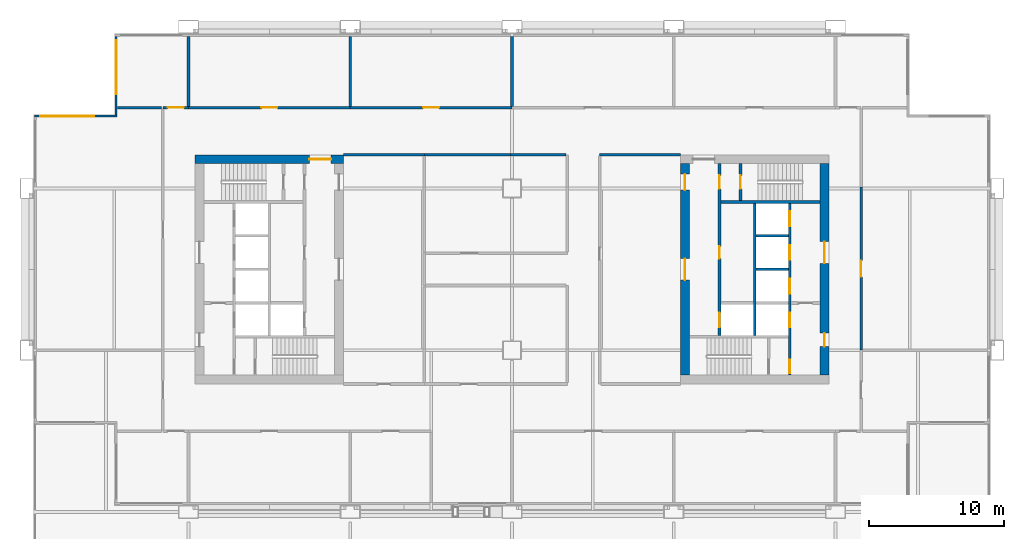
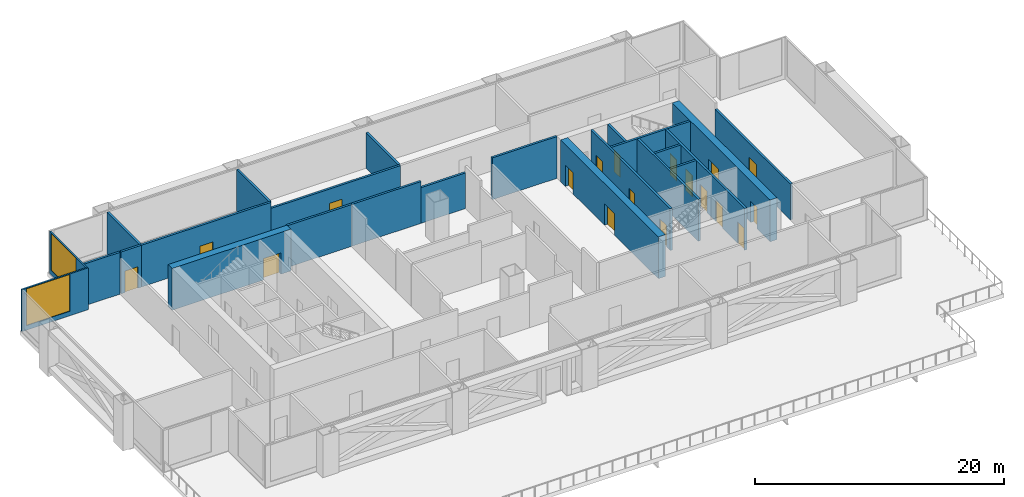
# One storey, part 6 of 8: 24 walls, 18 doors, 2 windows, 20 openings.
"""IFC4 building model written with IfcOpenShell, lengths in metres."""

import ifcopenshell
import ifcopenshell.guid

model = None  # the IFC model being written
_history = None  # IfcOwnerHistory: only IFC2X3 demands one
_inside = {}  # id of a spatial element -> (the spatial element, [elements in it])
_under = {}  # id of a project, library or spatial element -> (it, [spatial elements below it])
_declared = {}  # id of a project -> (the project, [libraries it declares])
_typed = {}  # id of a type object -> (the type object, [elements of that type])
_made_of = {}  # id of a material, layer set ... -> (it, [elements and type objects made of it])


def new_model(schema):
    """Start an empty IFC model of exactly this schema.

    Asked for "IFC4X3", IfcOpenShell would pick the latest addendum, in which some entities
    have other attributes; the version numbers below select the first issue.
    IFC2X3 requires an IfcOwnerHistory on every rooted entity: one is made here for all.
    """
    global model, _history
    if schema == "IFC4X3":
        model = ifcopenshell.file(schema_version=(4, 3, 0, 0))
    else:
        model = ifcopenshell.file(schema=schema)
    _inside.clear()
    _under.clear()
    _declared.clear()
    _typed.clear()
    _made_of.clear()
    _history = None
    if model.schema == "IFC2X3":
        org = make("IfcOrganization", Name="unknown")
        user = make(
            "IfcPersonAndOrganization",
            ThePerson=make("IfcPerson", FamilyName="unknown"),
            TheOrganization=org,
        )
        app = make(
            "IfcApplication",
            ApplicationDeveloper=org,
            Version="unknown",
            ApplicationFullName="unknown",
            ApplicationIdentifier="unknown",
        )
        _history = make(
            "IfcOwnerHistory",
            OwningUser=user,
            OwningApplication=app,
            ChangeAction="ADDED",
            CreationDate=0,
        )
    return model


def make(cls, **values):
    """One entity of the class cls with the attributes given. An attribute that is None is left unset."""
    return model.create_entity(
        cls, **{name: value for name, value in values.items() if value is not None}
    )


def rooted(cls, **values):
    """An entity with a GlobalId (a new one), such as an element, a storey or a relation."""
    return make(cls, GlobalId=ifcopenshell.guid.new(), OwnerHistory=_history, **values)


def si_unit(unit_type, name, prefix=None):
    """IfcSIUnit, for example si_unit("LENGTHUNIT", "METRE", prefix="MILLI")."""
    return make("IfcSIUnit", UnitType=unit_type, Prefix=prefix, Name=name)


def assignment(units):
    """IfcUnitAssignment: the units of a project."""
    return None if units is None else make("IfcUnitAssignment", Units=units)


def point(xyz):
    """IfcCartesianPoint."""
    return None if xyz is None else make("IfcCartesianPoint", Coordinates=xyz)


def direction(xyz):
    """IfcDirection."""
    return None if xyz is None else make("IfcDirection", DirectionRatios=xyz)


def frame(location, z_axis=None, x_axis=None):
    """IfcAxis2Placement3D, a coordinate frame: its origin and axes. An axis left out is left unset."""
    return make(
        "IfcAxis2Placement3D",
        Location=point(location),
        Axis=direction(z_axis),
        RefDirection=direction(x_axis),
    )


def frame_2d(location, x_axis=None):
    """IfcAxis2Placement2D, a coordinate frame in the plane: its origin and x axis."""
    return make(
        "IfcAxis2Placement2D", Location=point(location), RefDirection=direction(x_axis)
    )


def origin():
    """The frame at (0, 0, 0) with its axes left unset."""
    return frame((0.0, 0.0, 0.0))


def place(relative_to, where):
    """IfcLocalPlacement: puts the frame where relative to a parent placement (None: the world)."""
    return make(
        "IfcLocalPlacement", PlacementRelTo=relative_to, RelativePlacement=where
    )


def context(
    kind, dimensions, precision=None, world=None, true_north=None, identifier=None
):
    """IfcGeometricRepresentationContext, for example the 3D "Model" context."""
    return make(
        "IfcGeometricRepresentationContext",
        ContextIdentifier=identifier,
        ContextType=kind,
        CoordinateSpaceDimension=dimensions,
        Precision=precision,
        WorldCoordinateSystem=world,
        TrueNorth=true_north,
    )


def subcontext(parent, identifier, kind, view, scale=None):
    """IfcGeometricRepresentationSubContext, for example "Body" below "Model"."""
    return make(
        "IfcGeometricRepresentationSubContext",
        ContextIdentifier=identifier,
        ContextType=kind,
        ParentContext=parent,
        TargetScale=scale,
        TargetView=view,
    )


def project(units=None, contexts=None):
    """IfcProject with its units and contexts."""
    return rooted(
        "IfcProject",
        Name="project",
        RepresentationContexts=contexts,
        UnitsInContext=assignment(units),
    )


def spatial(cls, under=None, at=None, **own):
    """A site, building, storey or space (cls), placed at a placement, below another one or the project."""
    s = rooted(cls, ObjectPlacement=at, **own)
    if under is not None:
        _under.setdefault(under.id(), (under, []))[1].append(s)
    return s


def profile(cls, at=None, kind="AREA", **sizes):
    """A parametric profile (cls). Its sizes go by their IFC names, for example OverallWidth=200.0."""
    return make(cls, ProfileType=kind, Position=at, **sizes)


def rectangle(**sizes):
    """IfcRectangleProfileDef."""
    return profile("IfcRectangleProfileDef", **sizes)


def extrude(swept, where, along, depth):
    """IfcExtrudedAreaSolid: the profile swept, set in the frame where, extruded along a direction by depth."""
    return make(
        "IfcExtrudedAreaSolid",
        SweptArea=swept,
        Position=where,
        ExtrudedDirection=direction(along),
        Depth=depth,
    )


def shape(context_of_items, identifier, shape_type, items):
    """IfcShapeRepresentation: the items that make up one representation, for example the "Body"."""
    return make(
        "IfcShapeRepresentation",
        ContextOfItems=context_of_items,
        RepresentationIdentifier=identifier,
        RepresentationType=shape_type,
        Items=items,
    )


def material(Name=None, Category=None):
    """IfcMaterial."""
    return make("IfcMaterial", Name=Name, Category=Category)


def layer(
    of_material, thickness, ventilated=None, Name=None, Category=None, Priority=None
):
    """IfcMaterialLayer: one layer of a wall or slab, of a material (None: an air gap)."""
    return make(
        "IfcMaterialLayer",
        Material=of_material,
        LayerThickness=thickness,
        IsVentilated=ventilated,
        Name=Name,
        Category=Category,
        Priority=Priority,
    )


def layer_set(layers, Name=None):
    """IfcMaterialLayerSet."""
    return make("IfcMaterialLayerSet", MaterialLayers=layers, LayerSetName=Name)


def made_of(thing, what):
    """Note that an element or type object is made of a material, layer set ...; save() writes the relation."""
    if what is not None:
        _made_of.setdefault(what.id(), (what, []))[1].append(thing)
    return thing


def type_object(cls, material=None, **own):
    """A type object (cls), such as IfcWallType, which elements share."""
    return made_of(rooted(cls, **own), material)


def element(
    cls,
    number,
    at=None,
    inside=None,
    cuts=None,
    type_object=None,
    material=None,
    context=None,
    identifier="Body",
    shape_type=None,
    held_by="IfcProductDefinitionShape",
    body=None,
    shapes=None,
    **own,
):
    """One element of the class cls, such as IfcWall. Its Tag is "e" and its number.

    at: its placement. inside: the storey or other place that contains it. cuts: it is an
    opening in that element (IfcRelVoidsElement). A single representation is given by context,
    identifier, shape_type and body (its items); several are given by shapes. held_by: the class
    of the entity that holds the representations. save() writes the other relations.
    """
    e = rooted(cls, Tag="e%d" % number, ObjectPlacement=at, **own)
    if body is not None:
        shapes = [shape(context, identifier, shape_type, body)]
    if shapes is not None:
        e.Representation = make(held_by, Representations=shapes)
    if inside is not None:
        _inside.setdefault(inside.id(), (inside, []))[1].append(e)
    if cuts is not None:
        rooted(
            "IfcRelVoidsElement", RelatingBuildingElement=cuts, RelatedOpeningElement=e
        )
    if type_object is not None:
        _typed.setdefault(type_object.id(), (type_object, []))[1].append(e)
    return made_of(e, material)


def fill(opening, filler):
    """IfcRelFillsElement: the door or window that sits in an opening."""
    return rooted(
        "IfcRelFillsElement",
        RelatingOpeningElement=opening,
        RelatedBuildingElement=filler,
    )


def aggregate(whole, parts):
    """IfcRelAggregates: a whole, such as a stair, and the parts it consists of."""
    return rooted("IfcRelAggregates", RelatingObject=whole, RelatedObjects=parts)


def save(model, path):
    """Write the relations noted so far, then the file.

    IfcRelAggregates (storeys below a building ...), IfcRelContainedInSpatialStructure (elements
    in a storey), IfcRelDefinesByType, IfcRelAssociatesMaterial and IfcRelDeclares: one each for
    every whole, place, type object, material and project.
    """
    for whole, parts in _under.values():
        aggregate(whole, parts)
    for where, things in _inside.values():
        rooted(
            "IfcRelContainedInSpatialStructure",
            RelatedElements=things,
            RelatingStructure=where,
        )
    for kind, things in _typed.values():
        rooted("IfcRelDefinesByType", RelatedObjects=things, RelatingType=kind)
    for what, things in _made_of.values():
        rooted("IfcRelAssociatesMaterial", RelatedObjects=things, RelatingMaterial=what)
    for by, libraries in _declared.values():
        rooted("IfcRelDeclares", RelatingContext=by, RelatedDefinitions=libraries)
    model.write(path)


model = new_model("IFC4")

# Units and contexts
model_context = context("Model", 3, precision=1e-05, world=origin(), true_north=direction((0.0, 1.0)))
body_context = subcontext(model_context, "Body", "Model", "MODEL_VIEW")
ifc_project = project(units=[si_unit("LENGTHUNIT", "METRE"), si_unit("AREAUNIT", "SQUARE_METRE"), si_unit("VOLUMEUNIT", "CUBIC_METRE"), si_unit("PLANEANGLEUNIT", "RADIAN"), si_unit("MASSUNIT", "GRAM", prefix="KILO")], contexts=[model_context])

# Site, building, storey
site_placement = place(None, origin())
site = spatial("IfcSite", under=ifc_project, at=site_placement, CompositionType="ELEMENT")
building_placement = place(site_placement, origin())
building = spatial("IfcBuilding", under=site, at=building_placement, Name="Kitamizu Gate Tower and Museum", CompositionType="ELEMENT")
storey_placement = place(building_placement, frame((0.0, 0.0, 92.10009765625)))
storey = spatial("IfcBuildingStorey", under=building, at=storey_placement, Name="L23", CompositionType="ELEMENT", Elevation=92.10009765625)

# Wall, opening, door
ifc_material_1 = material(Name="Concrete Fc60", Category="concrete")
ifc_layer_1 = layer(ifc_material_1, 0.64990234375)
ifc_layer_set_1 = layer_set([ifc_layer_1], Name="Concrete Fc60")
wall_type_1 = type_object("IfcWallType", Name="Core wall 650", PredefinedType="SHEAR", material=ifc_layer_set_1)
wall_1_placement = place(storey_placement, frame((12.5, 38.175048828125, 0.0), z_axis=(0.0, 0.0, 1.0), x_axis=(1.0, 0.0, 0.0)))
wall_1 = element("IfcWall", 1, at=wall_1_placement, inside=storey, type_object=wall_type_1, Name="Core wall WN", PredefinedType="SHEAR", context=body_context, shape_type="SweptSolid", body=[
    extrude(rectangle(XDim=11.0, YDim=0.64990234375, at=frame_2d((5.5, 0.0))), origin(), (0.0, 0.0, 1.0), 4.099853515625),
])
opening_1_placement = place(wall_1_placement, frame((8.47509765625, 0.0, 0.0)))
opening_1 = element("IfcOpeningElement", 2, at=opening_1_placement, cuts=wall_1, Name="Opening L23-028", PredefinedType="OPENING", context=body_context, shape_type="SweptSolid", body=[
    extrude(rectangle(XDim=1.60009765625, YDim=2.10009765625, at=frame_2d((0.800048828125, 1.050048828125))), frame((0.0, 0.3349609375, 0.0), z_axis=(0.0, -1.0, 0.0), x_axis=(1.0, 0.0, 0.0)), (0.0, 0.0, 1.0), 0.669921875),
])
ifc_material_2 = material(Name="Timber door set", Category="wood")
door_type_1 = type_object("IfcDoorType", Name="Entrance door 1600", OperationType="DOUBLE_DOOR_SINGLE_SWING", PredefinedType="DOOR", material=ifc_material_2)
door_1_placement = place(opening_1_placement, origin())
door_1 = element("IfcDoor", 3, at=door_1_placement, inside=storey, type_object=door_type_1, Name="Lobby door L23-028", OperationType="DOUBLE_DOOR_SINGLE_SWING", OverallHeight=2.10009765625, OverallWidth=1.60009765625, PredefinedType="DOOR", context=body_context, shape_type="SweptSolid", body=[
    extrude(rectangle(XDim=1.60009765625, YDim=2.10009765625, at=frame_2d((0.800048828125, 1.050048828125))), frame((0.0, 0.02490234375, 0.0), z_axis=(0.0, -1.0, 0.0), x_axis=(1.0, 0.0, 0.0)), (0.0, 0.0, 1.0), 0.050048828125),
])
fill(opening_1, door_1)

# Wall, openings, doors
wall_2_placement = place(storey_placement, frame((59.175048828125, 22.14990234375, 0.0), z_axis=(0.0, 0.0, 1.0), x_axis=(0.0, 1.0, 0.0)))
wall_2 = element("IfcWall", 4, at=wall_2_placement, inside=storey, type_object=wall_type_1, Name="Core wall EOUT", PredefinedType="SHEAR", context=body_context, shape_type="SweptSolid", body=[
    extrude(rectangle(XDim=15.7001953125, YDim=0.64990234375, at=frame_2d((7.85009765625, 0.0))), origin(), (0.0, 0.0, 1.0), 4.099853515625),
])
opening_2_placement = place(wall_2_placement, frame((8.300048828125, 0.0, 0.0)))
opening_2 = element("IfcOpeningElement", 5, at=opening_2_placement, cuts=wall_2, Name="Opening L23-037", PredefinedType="OPENING", context=body_context, shape_type="SweptSolid", body=[
    extrude(rectangle(XDim=1.60009765625, YDim=2.10009765625, at=frame_2d((0.800048828125, 1.050048828125))), frame((0.0, 0.3349609375, 0.0), z_axis=(0.0, -1.0, 0.0), x_axis=(1.0, 0.0, 0.0)), (0.0, 0.0, 1.0), 0.669921875),
])
opening_3_placement = place(wall_2_placement, frame((2.125, 0.0, 0.0)))
opening_3 = element("IfcOpeningElement", 6, at=opening_3_placement, cuts=wall_2, Name="Opening L23-038", PredefinedType="OPENING", context=body_context, shape_type="SweptSolid", body=[
    extrude(rectangle(XDim=1.0, YDim=2.10009765625, at=frame_2d((0.5, 1.050048828125))), frame((0.0, 0.3349609375, 0.0), z_axis=(0.0, -1.0, 0.0), x_axis=(1.0, 0.0, 0.0)), (0.0, 0.0, 1.0), 0.669921875),
])
door_2_placement = place(opening_2_placement, origin())
door_2 = element("IfcDoor", 7, at=door_2_placement, inside=storey, type_object=door_type_1, Name="Lobby door L23-037", OperationType="DOUBLE_DOOR_SINGLE_SWING", OverallHeight=2.10009765625, OverallWidth=1.60009765625, PredefinedType="DOOR", context=body_context, shape_type="SweptSolid", body=[
    extrude(rectangle(XDim=1.60009765625, YDim=2.10009765625, at=frame_2d((0.800048828125, 1.050048828125))), frame((0.0, 0.02490234375, 0.0), z_axis=(0.0, -1.0, 0.0), x_axis=(1.0, 0.0, 0.0)), (0.0, 0.0, 1.0), 0.050048828125),
])
fill(opening_2, door_2)
ifc_material_3 = material(Name="Hollow metal door set")
door_type_2 = type_object("IfcDoorType", Name="Fire door 1000", OperationType="NOTDEFINED", PredefinedType="DOOR", material=ifc_material_3)
door_3_placement = place(opening_3_placement, origin())
door_3 = element("IfcDoor", 8, at=door_3_placement, inside=storey, type_object=door_type_2, Name="Fire-fighting lobby door L23-038", OperationType="SINGLE_SWING_LEFT", OverallHeight=2.10009765625, OverallWidth=1.0, PredefinedType="DOOR", context=body_context, shape_type="SweptSolid", body=[
    extrude(rectangle(XDim=1.0, YDim=2.10009765625, at=frame_2d((0.5, 1.050048828125))), frame((0.0, 0.02490234375, 0.0), z_axis=(0.0, -1.0, 0.0), x_axis=(1.0, 0.0, 0.0)), (0.0, 0.0, 1.0), 0.050048828125),
])
fill(opening_3, door_3)

wall_3_placement = place(storey_placement, frame((48.824951171875, 22.14990234375, 0.0), z_axis=(0.0, 0.0, 1.0), x_axis=(0.0, 1.0, 0.0)))
wall_3 = element("IfcWall", 9, at=wall_3_placement, inside=storey, type_object=wall_type_1, Name="Core wall EARC", PredefinedType="SHEAR", context=body_context, shape_type="SweptSolid", body=[
    extrude(rectangle(XDim=15.7001953125, YDim=0.64990234375, at=frame_2d((7.85009765625, 0.0))), origin(), (0.0, 0.0, 1.0), 4.099853515625),
])
opening_4_placement = place(wall_3_placement, frame((7.050048828125, 0.0, 0.0)))
opening_4 = element("IfcOpeningElement", 10, at=opening_4_placement, cuts=wall_3, Name="Opening L23-040", PredefinedType="OPENING", context=body_context, shape_type="SweptSolid", body=[
    extrude(rectangle(XDim=1.60009765625, YDim=2.10009765625, at=frame_2d((0.800048828125, 1.050048828125))), frame((0.0, 0.3349609375, 0.0), z_axis=(0.0, -1.0, 0.0), x_axis=(1.0, 0.0, 0.0)), (0.0, 0.0, 1.0), 0.669921875),
])
opening_5_placement = place(wall_3_placement, frame((13.72509765625, 0.0, 0.0)))
opening_5 = element("IfcOpeningElement", 11, at=opening_5_placement, cuts=wall_3, Name="Opening L23-041", PredefinedType="OPENING", context=body_context, shape_type="SweptSolid", body=[
    extrude(rectangle(XDim=1.199951171875, YDim=2.10009765625, at=frame_2d((0.60009765625, 1.050048828125))), frame((0.0, 0.3349609375, 0.0), z_axis=(0.0, -1.0, 0.0), x_axis=(1.0, 0.0, 0.0)), (0.0, 0.0, 1.0), 0.669921875),
])
door_4_placement = place(opening_4_placement, origin())
door_4 = element("IfcDoor", 12, at=door_4_placement, inside=storey, type_object=door_type_1, Name="Lobby door L23-040", OperationType="DOUBLE_DOOR_SINGLE_SWING", OverallHeight=2.10009765625, OverallWidth=1.60009765625, PredefinedType="DOOR", context=body_context, shape_type="SweptSolid", body=[
    extrude(rectangle(XDim=1.60009765625, YDim=2.10009765625, at=frame_2d((0.800048828125, 1.050048828125))), frame((0.0, 0.02490234375, 0.0), z_axis=(0.0, -1.0, 0.0), x_axis=(1.0, 0.0, 0.0)), (0.0, 0.0, 1.0), 0.050048828125),
])
fill(opening_4, door_4)
ifc_material_4 = material(Name="Timber door set", Category="wood")
door_type_3 = type_object("IfcDoorType", Name="Refuge door 1200", OperationType="NOTDEFINED", PredefinedType="DOOR", material=ifc_material_4)
door_5_placement = place(opening_5_placement, origin())
door_5 = element("IfcDoor", 13, at=door_5_placement, inside=storey, type_object=door_type_3, Name="Refuge door L23-041", OperationType="SINGLE_SWING_RIGHT", OverallHeight=2.10009765625, OverallWidth=1.199951171875, PredefinedType="DOOR", context=body_context, shape_type="SweptSolid", body=[
    extrude(rectangle(XDim=1.199951171875, YDim=2.10009765625, at=frame_2d((0.60009765625, 1.050048828125))), frame((0.0, 0.02490234375, 0.0), z_axis=(0.0, -1.0, 0.0), x_axis=(1.0, 0.0, 0.0)), (0.0, 0.0, 1.0), 0.050048828125),
])
fill(opening_5, door_5)

# Walls
ifc_material_5 = material(Name="Gypsum board on galvanised stud")
ifc_layer_2 = layer(ifc_material_5, 0.199951171875)
ifc_layer_set_2 = layer_set([ifc_layer_2], Name="Gypsum board on galvanised stud")
wall_type_2 = type_object("IfcWallType", Name="Partition 200", PredefinedType="PARTITIONING", material=ifc_layer_set_2)
for number, where, z_axis, x_axis, name in (
    (14, (29.5, 38.5, 0.0), (0.0, 0.0, 1.0), (-1.0, 0.0, 0.0), "Partition L23-002"),
    (15, (48.5, 38.5, 0.0), (0.0, 0.0, 1.0), (-1.0, 0.0, 0.0), "Partition L23-004"),
):
    element("IfcWall", number, at=place(storey_placement, frame(where, z_axis=z_axis, x_axis=x_axis)), inside=storey, type_object=wall_type_2, Name=name, PredefinedType="PARTITIONING", context=body_context, shape_type="SweptSolid", body=[
        extrude(rectangle(XDim=6.0, YDim=0.199951171875, at=frame_2d((3.0, 0.0))), origin(), (0.0, 0.0, 1.0), 4.099853515625),
    ])

# Wall, opening, door
wall_4_placement = place(storey_placement, frame((12.0, 42.0, 0.0), z_axis=(0.0, 0.0, 1.0), x_axis=(-1.0, 0.0, 0.0)))
wall_4 = element("IfcWall", 16, at=wall_4_placement, inside=storey, type_object=wall_type_2, Name="Partition L23-016", PredefinedType="PARTITIONING", context=body_context, shape_type="SweptSolid", body=[
    extrude(rectangle(XDim=1.89990234375, YDim=0.199951171875, at=frame_2d((0.949951171875, 0.0))), origin(), (0.0, 0.0, 1.0), 4.099853515625),
])
opening_6_placement = place(wall_4_placement, frame((0.35009765625, 0.0, 0.0)))
opening_6 = element("IfcOpeningElement", 17, at=opening_6_placement, cuts=wall_4, Name="Opening L23-009", PredefinedType="OPENING", context=body_context, shape_type="SweptSolid", body=[
    extrude(rectangle(XDim=1.199951171875, YDim=2.10009765625, at=frame_2d((0.60009765625, 1.050048828125))), frame((0.0, 0.10986328125, 0.0), z_axis=(0.0, -1.0, 0.0), x_axis=(1.0, 0.0, 0.0)), (0.0, 0.0, 1.0), 0.219970703125),
])
ifc_material_6 = material(Name="Timber door set", Category="wood")
door_type_4 = type_object("IfcDoorType", Name="Plant room door 1200", OperationType="DOUBLE_DOOR_SINGLE_SWING", PredefinedType="DOOR", material=ifc_material_6)
door_6_placement = place(opening_6_placement, origin())
door_6 = element("IfcDoor", 18, at=door_6_placement, inside=storey, type_object=door_type_4, Name="Plant room door L23-009", OperationType="DOUBLE_DOOR_SINGLE_SWING", OverallHeight=2.10009765625, OverallWidth=1.199951171875, PredefinedType="DOOR", context=body_context, shape_type="SweptSolid", body=[
    extrude(rectangle(XDim=1.199951171875, YDim=2.10009765625, at=frame_2d((0.60009765625, 1.050048828125))), frame((0.0, 0.02490234375, 0.0), z_axis=(0.0, -1.0, 0.0), x_axis=(1.0, 0.0, 0.0)), (0.0, 0.0, 1.0), 0.050048828125),
])
fill(opening_6, door_6)

wall_5_placement = place(storey_placement, frame((24.0, 42.0, 0.0), z_axis=(0.0, 0.0, 1.0), x_axis=(-1.0, 0.0, 0.0)))
wall_5 = element("IfcWall", 19, at=wall_5_placement, inside=storey, type_object=wall_type_2, Name="Partition L23-017", PredefinedType="PARTITIONING", context=body_context, shape_type="SweptSolid", body=[
    extrude(rectangle(XDim=12.0, YDim=0.199951171875, at=frame_2d((6.0, 0.0))), origin(), (0.0, 0.0, 1.0), 4.099853515625),
])
opening_7_placement = place(wall_5_placement, frame((5.39990234375, 0.0, 0.0)))
opening_7 = element("IfcOpeningElement", 20, at=opening_7_placement, cuts=wall_5, Name="Opening L23-010", PredefinedType="OPENING", context=body_context, shape_type="SweptSolid", body=[
    extrude(rectangle(XDim=1.199951171875, YDim=2.10009765625, at=frame_2d((0.60009765625, 1.050048828125))), frame((0.0, 0.10986328125, 0.0), z_axis=(0.0, -1.0, 0.0), x_axis=(1.0, 0.0, 0.0)), (0.0, 0.0, 1.0), 0.219970703125),
])
door_7_placement = place(opening_7_placement, origin())
door_7 = element("IfcDoor", 21, at=door_7_placement, inside=storey, type_object=door_type_4, Name="Plant room door L23-010", OperationType="DOUBLE_DOOR_SINGLE_SWING", OverallHeight=2.10009765625, OverallWidth=1.199951171875, PredefinedType="DOOR", context=body_context, shape_type="SweptSolid", body=[
    extrude(rectangle(XDim=1.199951171875, YDim=2.10009765625, at=frame_2d((0.60009765625, 1.050048828125))), frame((0.0, 0.02490234375, 0.0), z_axis=(0.0, -1.0, 0.0), x_axis=(1.0, 0.0, 0.0)), (0.0, 0.0, 1.0), 0.050048828125),
])
fill(opening_7, door_7)

wall_6_placement = place(storey_placement, frame((36.0, 42.0, 0.0), z_axis=(0.0, 0.0, 1.0), x_axis=(-1.0, 0.0, 0.0)))
wall_6 = element("IfcWall", 22, at=wall_6_placement, inside=storey, type_object=wall_type_2, Name="Partition L23-018", PredefinedType="PARTITIONING", context=body_context, shape_type="SweptSolid", body=[
    extrude(rectangle(XDim=12.0, YDim=0.199951171875, at=frame_2d((6.0, 0.0))), origin(), (0.0, 0.0, 1.0), 3.5),
])
opening_8_placement = place(wall_6_placement, frame((5.39990234375, 0.0, 0.0)))
opening_8 = element("IfcOpeningElement", 23, at=opening_8_placement, cuts=wall_6, Name="Opening L23-011", PredefinedType="OPENING", context=body_context, shape_type="SweptSolid", body=[
    extrude(rectangle(XDim=1.199951171875, YDim=2.10009765625, at=frame_2d((0.60009765625, 1.050048828125))), frame((0.0, 0.10986328125, 0.0), z_axis=(0.0, -1.0, 0.0), x_axis=(1.0, 0.0, 0.0)), (0.0, 0.0, 1.0), 0.219970703125),
])
door_8_placement = place(opening_8_placement, origin())
door_8 = element("IfcDoor", 24, at=door_8_placement, inside=storey, type_object=door_type_4, Name="Plant room door L23-011", OperationType="DOUBLE_DOOR_SINGLE_SWING", OverallHeight=2.10009765625, OverallWidth=1.199951171875, PredefinedType="DOOR", context=body_context, shape_type="SweptSolid", body=[
    extrude(rectangle(XDim=1.199951171875, YDim=2.10009765625, at=frame_2d((0.60009765625, 1.050048828125))), frame((0.0, 0.02490234375, 0.0), z_axis=(0.0, -1.0, 0.0), x_axis=(1.0, 0.0, 0.0)), (0.0, 0.0, 1.0), 0.050048828125),
])
fill(opening_8, door_8)

wall_7_placement = place(storey_placement, frame((61.89990234375, 24.0, 0.0), z_axis=(0.0, 0.0, 1.0), x_axis=(0.0, 1.0, 0.0)))
wall_7 = element("IfcWall", 25, at=wall_7_placement, inside=storey, type_object=wall_type_2, Name="Partition L23-025", PredefinedType="PARTITIONING", context=body_context, shape_type="SweptSolid", body=[
    extrude(rectangle(XDim=12.10009765625, YDim=0.199951171875, at=frame_2d((6.050048828125, 0.0))), origin(), (0.0, 0.0, 1.0), 3.5),
])
opening_9_placement = place(wall_7_placement, frame((5.449951171875, 0.0, 0.0)))
opening_9 = element("IfcOpeningElement", 26, at=opening_9_placement, cuts=wall_7, Name="Opening L23-018", PredefinedType="OPENING", context=body_context, shape_type="SweptSolid", body=[
    extrude(rectangle(XDim=1.199951171875, YDim=2.10009765625, at=frame_2d((0.60009765625, 1.050048828125))), frame((0.0, 0.10986328125, 0.0), z_axis=(0.0, -1.0, 0.0), x_axis=(1.0, 0.0, 0.0)), (0.0, 0.0, 1.0), 0.219970703125),
])
door_9_placement = place(opening_9_placement, origin())
door_9 = element("IfcDoor", 27, at=door_9_placement, inside=storey, type_object=door_type_4, Name="Plant room door L23-018", OperationType="DOUBLE_DOOR_SINGLE_SWING", OverallHeight=2.10009765625, OverallWidth=1.199951171875, PredefinedType="DOOR", context=body_context, shape_type="SweptSolid", body=[
    extrude(rectangle(XDim=1.199951171875, YDim=2.10009765625, at=frame_2d((0.60009765625, 1.050048828125))), frame((0.0, 0.02490234375, 0.0), z_axis=(0.0, -1.0, 0.0), x_axis=(1.0, 0.0, 0.0)), (0.0, 0.0, 1.0), 0.050048828125),
])
fill(opening_9, door_9)

# Walls
wall_8_placement = place(storey_placement, frame((40.0, 38.5, 0.0), z_axis=(0.0, 0.0, 1.0), x_axis=(-1.0, 0.0, 0.0)))
element("IfcWall", 28, at=wall_8_placement, inside=storey, type_object=wall_type_2, Name="Partition L23-037", PredefinedType="PARTITIONING", context=body_context, shape_type="SweptSolid", body=[
    extrude(rectangle(XDim=4.10009765625, YDim=0.199951171875, at=frame_2d((2.050048828125, 0.0))), origin(), (0.0, 0.0, 1.0), 3.5),
])
wall_9_placement = place(storey_placement, frame((35.89990234375, 38.5, 0.0), z_axis=(0.0, 0.0, 1.0), x_axis=(-1.0, 0.0, 0.0)))
element("IfcWall", 29, at=wall_9_placement, inside=storey, type_object=wall_type_2, Name="Partition L23-038", PredefinedType="PARTITIONING", context=body_context, shape_type="SweptSolid", body=[
    extrude(rectangle(XDim=6.39990234375, YDim=0.199951171875, at=frame_2d((3.199951171875, 0.0))), origin(), (0.0, 0.0, 1.0), 4.099853515625),
])
wall_10_placement = place(storey_placement, frame((12.0, 42.10009765625, 0.0), z_axis=(0.0, 0.0, 1.0), x_axis=(0.0, 1.0, 0.0)))
element("IfcWall", 30, at=wall_10_placement, inside=storey, type_object=wall_type_2, Name="Partition L23-049", PredefinedType="PARTITIONING", context=body_context, shape_type="SweptSolid", body=[
    extrude(rectangle(XDim=5.179931640625, YDim=0.199951171875, at=frame_2d((2.58984375, 0.0))), origin(), (0.0, 0.0, 1.0), 4.099853515625),
])
wall_11_placement = place(storey_placement, frame((6.719970703125, 42.0, 0.0), z_axis=(0.0, 0.0, 1.0), x_axis=(1.0, 0.0, 0.0)))
element("IfcWall", 31, at=wall_11_placement, inside=storey, type_object=wall_type_2, Name="Partition L23-050", PredefinedType="PARTITIONING", context=body_context, shape_type="SweptSolid", body=[
    extrude(rectangle(XDim=3.280029296875, YDim=0.199951171875, at=frame_2d((1.64013671875, 0.0))), origin(), (0.0, 0.0, 1.0), 4.099853515625),
])
wall_12_placement = place(storey_placement, frame((24.0, 42.10009765625, 0.0), z_axis=(0.0, 0.0, 1.0), x_axis=(0.0, 1.0, 0.0)))
element("IfcWall", 32, at=wall_12_placement, inside=storey, type_object=wall_type_2, Name="Partition L23-051", PredefinedType="PARTITIONING", context=body_context, shape_type="SweptSolid", body=[
    extrude(rectangle(XDim=5.179931640625, YDim=0.199951171875, at=frame_2d((2.58984375, 0.0))), origin(), (0.0, 0.0, 1.0), 4.099853515625),
])
wall_13_placement = place(storey_placement, frame((36.0, 42.10009765625, 0.0), z_axis=(0.0, 0.0, 1.0), x_axis=(0.0, 1.0, 0.0)))
element("IfcWall", 33, at=wall_13_placement, inside=storey, type_object=wall_type_2, Name="Partition L23-052", PredefinedType="PARTITIONING", context=body_context, shape_type="SweptSolid", body=[
    extrude(rectangle(XDim=5.179931640625, YDim=0.199951171875, at=frame_2d((2.58984375, 0.0))), origin(), (0.0, 0.0, 1.0), 3.5),
])

# Wall, openings, doors
ifc_material_7 = material(Name="Concrete Fc42", Category="concrete")
ifc_layer_3 = layer(ifc_material_7, 0.199951171875)
ifc_layer_set_3 = layer_set([ifc_layer_3], Name="Concrete Fc42")
wall_type_3 = type_object("IfcWallType", Name="Shaft wall 200", PredefinedType="SOLIDWALL", material=ifc_layer_set_3)
wall_14_placement = place(storey_placement, frame((56.60009765625, 22.14990234375, 0.0), z_axis=(0.0, 0.0, 1.0), x_axis=(0.0, 1.0, 0.0)))
wall_14 = element("IfcWall", 34, at=wall_14_placement, inside=storey, type_object=wall_type_3, Name="Shaft wall EWEST", PredefinedType="SOLIDWALL", context=body_context, shape_type="SweptSolid", body=[
    extrude(rectangle(XDim=12.75, YDim=0.199951171875, at=frame_2d((6.375, 0.0))), origin(), (0.0, 0.0, 1.0), 4.099853515625),
])
opening_10_placement = place(wall_14_placement, frame((3.550048828125, 0.0, 0.0)))
opening_10 = element("IfcOpeningElement", 35, at=opening_10_placement, cuts=wall_14, Name="Opening LD", PredefinedType="OPENING", context=body_context, shape_type="SweptSolid", body=[
    extrude(rectangle(XDim=1.10009765625, YDim=2.10009765625, at=frame_2d((0.550048828125, 1.050048828125))), frame((0.0, 0.10986328125, 0.0), z_axis=(0.0, -1.0, 0.0), x_axis=(1.0, 0.0, 0.0)), (0.0, 0.0, 1.0), 0.219970703125),
])
opening_11_placement = place(wall_14_placement, frame((6.050048828125, 0.0, 0.0)))
opening_11 = element("IfcOpeningElement", 36, at=opening_11_placement, cuts=wall_14, Name="Opening LD", PredefinedType="OPENING", context=body_context, shape_type="SweptSolid", body=[
    extrude(rectangle(XDim=1.10009765625, YDim=2.10009765625, at=frame_2d((0.550048828125, 1.050048828125))), frame((0.0, 0.10986328125, 0.0), z_axis=(0.0, -1.0, 0.0), x_axis=(1.0, 0.0, 0.0)), (0.0, 0.0, 1.0), 0.219970703125),
])
opening_12_placement = place(wall_14_placement, frame((8.550048828125, 0.0, 0.0)))
opening_12 = element("IfcOpeningElement", 37, at=opening_12_placement, cuts=wall_14, Name="Opening LD", PredefinedType="OPENING", context=body_context, shape_type="SweptSolid", body=[
    extrude(rectangle(XDim=1.10009765625, YDim=2.10009765625, at=frame_2d((0.550048828125, 1.050048828125))), frame((0.0, 0.10986328125, 0.0), z_axis=(0.0, -1.0, 0.0), x_axis=(1.0, 0.0, 0.0)), (0.0, 0.0, 1.0), 0.219970703125),
])
opening_13_placement = place(wall_14_placement, frame((11.050048828125, 0.0, 0.0)))
opening_13 = element("IfcOpeningElement", 38, at=opening_13_placement, cuts=wall_14, Name="Opening LD", PredefinedType="OPENING", context=body_context, shape_type="SweptSolid", body=[
    extrude(rectangle(XDim=1.10009765625, YDim=2.10009765625, at=frame_2d((0.550048828125, 1.050048828125))), frame((0.0, 0.10986328125, 0.0), z_axis=(0.0, -1.0, 0.0), x_axis=(1.0, 0.0, 0.0)), (0.0, 0.0, 1.0), 0.219970703125),
])
opening_14_placement = place(wall_14_placement, frame((0.14990234375, 0.0, 0.0)))
opening_14 = element("IfcOpeningElement", 39, at=opening_14_placement, cuts=wall_14, Name="Opening L23-033", PredefinedType="OPENING", context=body_context, shape_type="SweptSolid", body=[
    extrude(rectangle(XDim=1.0, YDim=2.10009765625, at=frame_2d((0.5, 1.050048828125))), frame((0.0, 0.10986328125, 0.0), z_axis=(0.0, -1.0, 0.0), x_axis=(1.0, 0.0, 0.0)), (0.0, 0.0, 1.0), 0.219970703125),
])
door_10_placement = place(opening_14_placement, origin())
door_10 = element("IfcDoor", 40, at=door_10_placement, inside=storey, type_object=door_type_2, Name="Stair lobby door L23-033", OperationType="SINGLE_SWING_RIGHT", OverallHeight=2.10009765625, OverallWidth=1.0, PredefinedType="DOOR", context=body_context, shape_type="SweptSolid", body=[
    extrude(rectangle(XDim=1.0, YDim=2.10009765625, at=frame_2d((0.5, 1.050048828125))), frame((0.0, 0.02490234375, 0.0), z_axis=(0.0, -1.0, 0.0), x_axis=(1.0, 0.0, 0.0)), (0.0, 0.0, 1.0), 0.050048828125),
])
fill(opening_14, door_10)
ifc_material_8 = material(Name="Hollow metal door set")
door_type_5 = type_object("IfcDoorType", Name="Landing door 1100", OperationType="SLIDING_TO_LEFT", PredefinedType="DOOR", material=ifc_material_8)
door_11_placement = place(opening_10_placement, origin())
door_11 = element("IfcDoor", 41, at=door_11_placement, inside=storey, type_object=door_type_5, Name="Landing door EFF1", OperationType="SLIDING_TO_LEFT", OverallHeight=2.10009765625, OverallWidth=1.10009765625, PredefinedType="DOOR", context=body_context, shape_type="SweptSolid", body=[
    extrude(rectangle(XDim=1.10009765625, YDim=2.10009765625, at=frame_2d((0.550048828125, 1.050048828125))), frame((0.0, 0.02490234375, 0.0), z_axis=(0.0, -1.0, 0.0), x_axis=(1.0, 0.0, 0.0)), (0.0, 0.0, 1.0), 0.050048828125),
])
fill(opening_10, door_11)
door_12_placement = place(opening_11_placement, origin())
door_12 = element("IfcDoor", 42, at=door_12_placement, inside=storey, type_object=door_type_5, Name="Landing door EL1", OperationType="SLIDING_TO_LEFT", OverallHeight=2.10009765625, OverallWidth=1.10009765625, PredefinedType="DOOR", context=body_context, shape_type="SweptSolid", body=[
    extrude(rectangle(XDim=1.10009765625, YDim=2.10009765625, at=frame_2d((0.550048828125, 1.050048828125))), frame((0.0, 0.02490234375, 0.0), z_axis=(0.0, -1.0, 0.0), x_axis=(1.0, 0.0, 0.0)), (0.0, 0.0, 1.0), 0.050048828125),
])
fill(opening_11, door_12)
door_13_placement = place(opening_12_placement, origin())
door_13 = element("IfcDoor", 43, at=door_13_placement, inside=storey, type_object=door_type_5, Name="Landing door EL2", OperationType="SLIDING_TO_LEFT", OverallHeight=2.10009765625, OverallWidth=1.10009765625, PredefinedType="DOOR", context=body_context, shape_type="SweptSolid", body=[
    extrude(rectangle(XDim=1.10009765625, YDim=2.10009765625, at=frame_2d((0.550048828125, 1.050048828125))), frame((0.0, 0.02490234375, 0.0), z_axis=(0.0, -1.0, 0.0), x_axis=(1.0, 0.0, 0.0)), (0.0, 0.0, 1.0), 0.050048828125),
])
fill(opening_12, door_13)
door_14_placement = place(opening_13_placement, origin())
door_14 = element("IfcDoor", 44, at=door_14_placement, inside=storey, type_object=door_type_5, Name="Landing door EL3", OperationType="SLIDING_TO_LEFT", OverallHeight=2.10009765625, OverallWidth=1.10009765625, PredefinedType="DOOR", context=body_context, shape_type="SweptSolid", body=[
    extrude(rectangle(XDim=1.10009765625, YDim=2.10009765625, at=frame_2d((0.550048828125, 1.050048828125))), frame((0.0, 0.02490234375, 0.0), z_axis=(0.0, -1.0, 0.0), x_axis=(1.0, 0.0, 0.0)), (0.0, 0.0, 1.0), 0.050048828125),
])
fill(opening_13, door_14)

wall_15_placement = place(storey_placement, frame((51.39990234375, 25.10009765625, 0.0), z_axis=(0.0, 0.0, 1.0), x_axis=(0.0, 1.0, 0.0)))
wall_15 = element("IfcWall", 45, at=wall_15_placement, inside=storey, type_object=wall_type_3, Name="Shaft wall EEAST", PredefinedType="SOLIDWALL", context=body_context, shape_type="SweptSolid", body=[
    extrude(rectangle(XDim=12.75, YDim=0.199951171875, at=frame_2d((6.375, 0.0))), origin(), (0.0, 0.0, 1.0), 4.099853515625),
])
opening_15_placement = place(wall_15_placement, frame((0.60009765625, 0.0, 0.0)))
opening_15 = element("IfcOpeningElement", 46, at=opening_15_placement, cuts=wall_15, Name="Opening LD", PredefinedType="OPENING", context=body_context, shape_type="SweptSolid", body=[
    extrude(rectangle(XDim=1.10009765625, YDim=2.10009765625, at=frame_2d((0.550048828125, 1.050048828125))), frame((0.0, 0.10986328125, 0.0), z_axis=(0.0, -1.0, 0.0), x_axis=(1.0, 0.0, 0.0)), (0.0, 0.0, 1.0), 0.219970703125),
])
opening_16_placement = place(wall_15_placement, frame((10.875, 0.0, 0.0)))
opening_16 = element("IfcOpeningElement", 47, at=opening_16_placement, cuts=wall_15, Name="Opening L23-034", PredefinedType="OPENING", context=body_context, shape_type="SweptSolid", body=[
    extrude(rectangle(XDim=1.0, YDim=2.10009765625, at=frame_2d((0.5, 1.050048828125))), frame((0.0, 0.10986328125, 0.0), z_axis=(0.0, -1.0, 0.0), x_axis=(1.0, 0.0, 0.0)), (0.0, 0.0, 1.0), 0.219970703125),
])
opening_17_placement = place(wall_15_placement, frame((5.699951171875, 0.0, 0.0)))
opening_17 = element("IfcOpeningElement", 48, at=opening_17_placement, cuts=wall_15, Name="Opening L23-042", PredefinedType="OPENING", context=body_context, shape_type="SweptSolid", body=[
    extrude(rectangle(XDim=0.89990234375, YDim=2.10009765625, at=frame_2d((0.449951171875, 1.050048828125))), frame((0.0, 0.10986328125, 0.0), z_axis=(0.0, -1.0, 0.0), x_axis=(1.0, 0.0, 0.0)), (0.0, 0.0, 1.0), 0.219970703125),
])
door_15_placement = place(opening_16_placement, frame((1.0, 0.0, 0.0), x_axis=(-1.0, 0.0, 0.0)))
door_15 = element("IfcDoor", 49, at=door_15_placement, inside=storey, type_object=door_type_2, Name="Stair lobby door L23-034", OperationType="SINGLE_SWING_LEFT", OverallHeight=2.10009765625, OverallWidth=1.0, PredefinedType="DOOR", context=body_context, shape_type="SweptSolid", body=[
    extrude(rectangle(XDim=1.0, YDim=2.10009765625, at=frame_2d((0.5, 1.050048828125))), frame((0.0, 0.02490234375, 0.0), z_axis=(0.0, -1.0, 0.0), x_axis=(1.0, 0.0, 0.0)), (0.0, 0.0, 1.0), 0.050048828125),
])
fill(opening_16, door_15)
door_16_placement = place(opening_15_placement, origin())
door_16 = element("IfcDoor", 50, at=door_16_placement, inside=storey, type_object=door_type_5, Name="Landing door ESV1", OperationType="SLIDING_TO_LEFT", OverallHeight=2.10009765625, OverallWidth=1.10009765625, PredefinedType="DOOR", context=body_context, shape_type="SweptSolid", body=[
    extrude(rectangle(XDim=1.10009765625, YDim=2.10009765625, at=frame_2d((0.550048828125, 1.050048828125))), frame((0.0, 0.02490234375, 0.0), z_axis=(0.0, -1.0, 0.0), x_axis=(1.0, 0.0, 0.0)), (0.0, 0.0, 1.0), 0.050048828125),
])
fill(opening_15, door_16)
ifc_material_9 = material(Name="Timber door set", Category="wood")
door_type_6 = type_object("IfcDoorType", Name="Service door 900", OperationType="NOTDEFINED", PredefinedType="DOOR", material=ifc_material_9)
door_17_placement = place(opening_17_placement, frame((0.89990234375, 0.0, 0.0), x_axis=(-1.0, 0.0, 0.0)))
door_17 = element("IfcDoor", 51, at=door_17_placement, inside=storey, type_object=door_type_6, Name="Service door L23-042", OperationType="SINGLE_SWING_RIGHT", OverallHeight=2.10009765625, OverallWidth=0.89990234375, PredefinedType="DOOR", context=body_context, shape_type="SweptSolid", body=[
    extrude(rectangle(XDim=0.89990234375, YDim=2.10009765625, at=frame_2d((0.449951171875, 1.050048828125))), frame((0.0, 0.02490234375, 0.0), z_axis=(0.0, -1.0, 0.0), x_axis=(1.0, 0.0, 0.0)), (0.0, 0.0, 1.0), 0.050048828125),
])
fill(opening_17, door_17)

# Walls
wall_16_placement = place(storey_placement, frame((54.0, 25.10009765625, 0.0), z_axis=(0.0, 0.0, 1.0), x_axis=(0.0, 1.0, 0.0)))
element("IfcWall", 52, at=wall_16_placement, inside=storey, type_object=wall_type_3, Name="Shaft wall EMID", PredefinedType="SOLIDWALL", context=body_context, shape_type="SweptSolid", body=[
    extrude(rectangle(XDim=9.7998046875, YDim=0.199951171875, at=frame_2d((4.89990234375, 0.0))), origin(), (0.0, 0.0, 1.0), 4.099853515625),
])
wall_17_placement = place(storey_placement, frame((58.85009765625, 35.0, 0.0), z_axis=(0.0, 0.0, 1.0), x_axis=(-1.0, 0.0, 0.0)))
element("IfcWall", 53, at=wall_17_placement, inside=storey, type_object=wall_type_3, Name="Shaft wall ENB", PredefinedType="SOLIDWALL", context=body_context, shape_type="SweptSolid", body=[
    extrude(rectangle(XDim=7.35009765625, YDim=0.199951171875, at=frame_2d((3.675048828125, 0.0))), origin(), (0.0, 0.0, 1.0), 4.099853515625),
])

# Wall, opening, door
wall_18_placement = place(storey_placement, frame((52.949951171875, 35.10009765625, 0.0), z_axis=(0.0, 0.0, 1.0), x_axis=(0.0, 1.0, 0.0)))
wall_18 = element("IfcWall", 54, at=wall_18_placement, inside=storey, type_object=wall_type_3, Name="Shaft wall ENZ", PredefinedType="SOLIDWALL", context=body_context, shape_type="SweptSolid", body=[
    extrude(rectangle(XDim=2.75, YDim=0.199951171875, at=frame_2d((1.375, 0.0))), origin(), (0.0, 0.0, 1.0), 4.099853515625),
])
opening_18_placement = place(wall_18_placement, frame((0.875, 0.0, 0.0)))
opening_18 = element("IfcOpeningElement", 55, at=opening_18_placement, cuts=wall_18, Name="Opening L23-035", PredefinedType="OPENING", context=body_context, shape_type="SweptSolid", body=[
    extrude(rectangle(XDim=1.0, YDim=2.10009765625, at=frame_2d((0.5, 1.050048828125))), frame((0.0, 0.10986328125, 0.0), z_axis=(0.0, -1.0, 0.0), x_axis=(1.0, 0.0, 0.0)), (0.0, 0.0, 1.0), 0.219970703125),
])
door_18_placement = place(opening_18_placement, frame((1.0, 0.0, 0.0), x_axis=(-1.0, 0.0, 0.0)))
door_18 = element("IfcDoor", 56, at=door_18_placement, inside=storey, type_object=door_type_2, Name="Stair door L23-035", OperationType="SINGLE_SWING_RIGHT", OverallHeight=2.10009765625, OverallWidth=1.0, PredefinedType="DOOR", context=body_context, shape_type="SweptSolid", body=[
    extrude(rectangle(XDim=1.0, YDim=2.10009765625, at=frame_2d((0.5, 1.050048828125))), frame((0.0, 0.02490234375, 0.0), z_axis=(0.0, -1.0, 0.0), x_axis=(1.0, 0.0, 0.0)), (0.0, 0.0, 1.0), 0.050048828125),
])
fill(opening_18, door_18)

# Walls
for number, where, z_axis, x_axis, name in (
    (57, (56.5, 30.0, 0.0), (0.0, 0.0, 1.0), (-1.0, 0.0, 0.0), "Shaft wall EDVW1"),
    (58, (56.5, 32.5, 0.0), (0.0, 0.0, 1.0), (-1.0, 0.0, 0.0), "Shaft wall EDVW2"),
):
    element("IfcWall", number, at=place(storey_placement, frame(where, z_axis=z_axis, x_axis=x_axis)), inside=storey, type_object=wall_type_3, Name=name, PredefinedType="SOLIDWALL", context=body_context, shape_type="SweptSolid", body=[
        extrude(rectangle(XDim=2.39990234375, YDim=0.199951171875, at=frame_2d((1.199951171875, 0.0))), origin(), (0.0, 0.0, 1.0), 4.099853515625),
    ])

# Wall, opening, window
ifc_material_10 = material(Name="Bronze anodised aluminium frame with insulated spandrel and tinted glass", Category="aluminium")
ifc_layer_4 = layer(ifc_material_10, 0.14990234375)
ifc_layer_set_4 = layer_set([ifc_layer_4], Name="Bronze anodised aluminium frame with insulated spandrel and tinted glass")
wall_type_4 = type_object("IfcWallType", Name="WINDOW WALL 150 BRONZE FRAME EI 60", PredefinedType="ELEMENTEDWALL", material=ifc_layer_set_4)
wall_19_placement = place(storey_placement, frame((6.635009765625, 41.43994140625, 0.0), z_axis=(0.0, 0.0, 1.0), x_axis=(0.0, 1.0, 0.0)))
wall_19 = element("IfcWall", 59, at=wall_19_placement, inside=storey, type_object=wall_type_4, Name="Window wall west L23", PredefinedType="ELEMENTEDWALL", context=body_context, shape_type="SweptSolid", body=[
    extrude(rectangle(XDim=5.85009765625, YDim=0.14990234375, at=frame_2d((2.925048828125, 0.0))), origin(), (0.0, 0.0, 1.0), 4.099853515625),
])
opening_19_placement = place(wall_19_placement, frame((1.56005859375, 0.0, 0.449951171875)))
opening_19 = element("IfcOpeningElement", 60, at=opening_19_placement, cuts=wall_19, Name="Opening W18", PredefinedType="OPENING", context=body_context, shape_type="SweptSolid", body=[
    extrude(rectangle(XDim=4.0, YDim=3.60009765625, at=frame_2d((2.0, 1.800048828125))), frame((0.0, 0.0849609375, 0.0), z_axis=(0.0, -1.0, 0.0), x_axis=(1.0, 0.0, 0.0)), (0.0, 0.0, 1.0), 0.169921875),
])
ifc_material_11 = material(Name="Bronze anodised aluminium frame, tinted triple glazing", Category="aluminium")
window_type = type_object("IfcWindowType", Name="WINDOW 4000 x 3600 SILL 450", PartitioningType="SINGLE_PANEL", PredefinedType="WINDOW", material=ifc_material_11)
window_1_placement = place(opening_19_placement, origin())
window_1 = element("IfcWindow", 61, at=window_1_placement, inside=storey, type_object=window_type, Name="Window W18 L23", OverallHeight=3.60009765625, OverallWidth=4.0, PartitioningType="SINGLE_PANEL", PredefinedType="WINDOW", context=body_context, shape_type="SweptSolid", body=[
    extrude(rectangle(XDim=4.0, YDim=3.60009765625, at=frame_2d((2.0, 1.800048828125))), frame((0.0, 0.030029296875, 0.0), z_axis=(0.0, -1.0, 0.0), x_axis=(1.0, 0.0, 0.0)), (0.0, 0.0, 1.0), 0.06005859375),
])
fill(opening_19, window_1)

wall_20_placement = place(storey_placement, frame((0.56005859375, 41.364990234375, 0.0), z_axis=(0.0, 0.0, 1.0), x_axis=(1.0, 0.0, 0.0)))
wall_20 = element("IfcWall", 62, at=wall_20_placement, inside=storey, type_object=wall_type_4, Name="Window wall north L23", PredefinedType="ELEMENTEDWALL", context=body_context, shape_type="SweptSolid", body=[
    extrude(rectangle(XDim=6.14990234375, YDim=0.14990234375, at=frame_2d((3.074951171875, 0.0))), origin(), (0.0, 0.0, 1.0), 4.099853515625),
])
opening_20_placement = place(wall_20_placement, frame((0.43994140625, 0.0, 0.449951171875)))
opening_20 = element("IfcOpeningElement", 63, at=opening_20_placement, cuts=wall_20, Name="Opening W18", PredefinedType="OPENING", context=body_context, shape_type="SweptSolid", body=[
    extrude(rectangle(XDim=4.0, YDim=3.60009765625, at=frame_2d((2.0, 1.800048828125))), frame((0.0, 0.0849609375, 0.0), z_axis=(0.0, -1.0, 0.0), x_axis=(1.0, 0.0, 0.0)), (0.0, 0.0, 1.0), 0.169921875),
])
window_2_placement = place(opening_20_placement, origin())
window_2 = element("IfcWindow", 64, at=window_2_placement, inside=storey, type_object=window_type, Name="Window W18 L23", OverallHeight=3.60009765625, OverallWidth=4.0, PartitioningType="SINGLE_PANEL", PredefinedType="WINDOW", context=body_context, shape_type="SweptSolid", body=[
    extrude(rectangle(XDim=4.0, YDim=3.60009765625, at=frame_2d((2.0, 1.800048828125))), frame((0.0, 0.030029296875, 0.0), z_axis=(0.0, -1.0, 0.0), x_axis=(1.0, 0.0, 0.0)), (0.0, 0.0, 1.0), 0.06005859375),
])
fill(opening_20, window_2)

save(model, "model.ifc")
